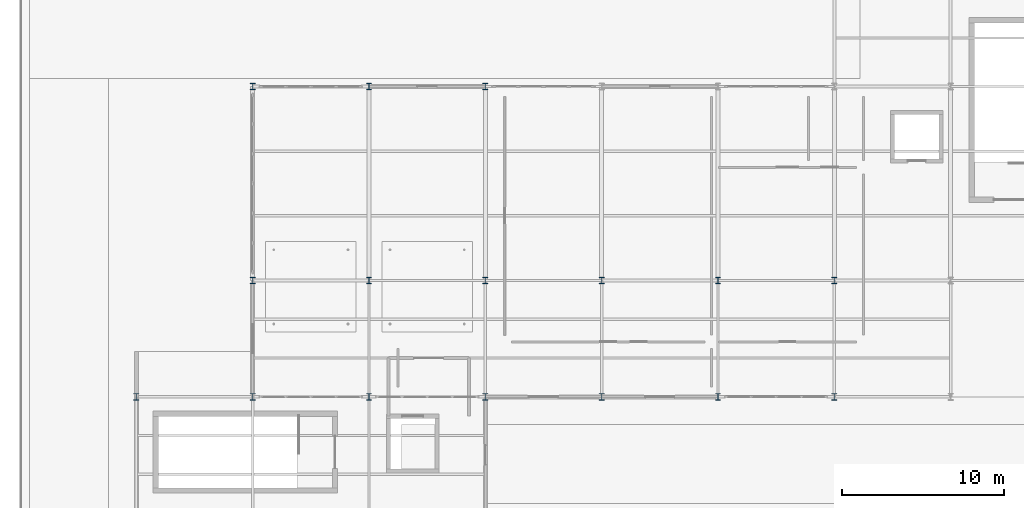
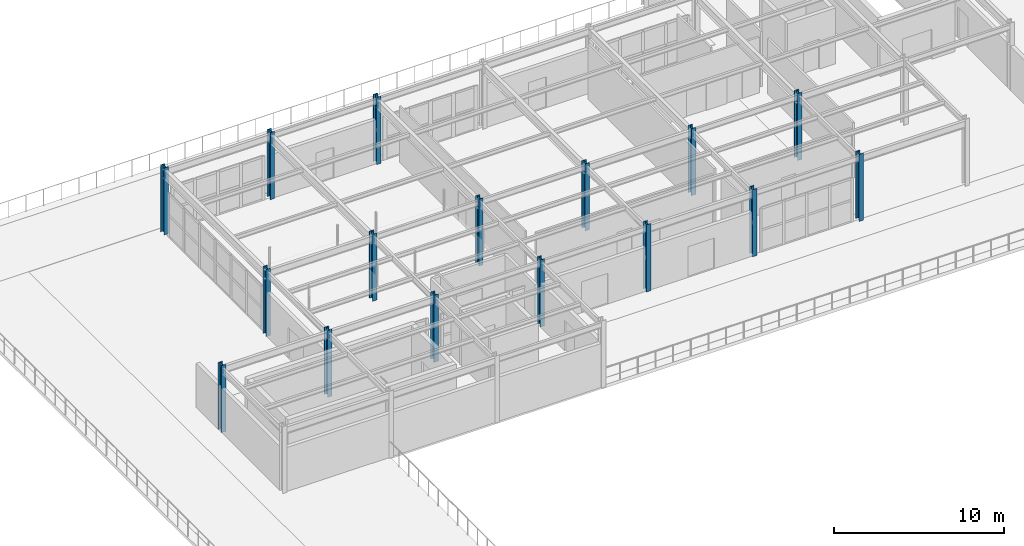
# One storey, part 7 of 41: 16 columns.
"""IFC4 building model written with IfcOpenShell, lengths in metres."""

from ifc_helpers import new_model, si_unit, direction, frame, origin, origin_2d, place, context, subcontext, project, spatial, i_section, extrude, material, material_profile, profile_set, type_object, element, save


model = new_model("IFC4")

# Units and contexts
model_context = context("Model", 3, precision=1e-05, world=origin(), true_north=direction((0.0, 1.0)))
body_context = subcontext(model_context, "Body", "Model", "MODEL_VIEW")
ifc_project = project(units=[si_unit("LENGTHUNIT", "METRE"), si_unit("AREAUNIT", "SQUARE_METRE"), si_unit("VOLUMEUNIT", "CUBIC_METRE"), si_unit("PLANEANGLEUNIT", "RADIAN"), si_unit("MASSUNIT", "GRAM", prefix="KILO")], contexts=[model_context])

# Site, building, storey
site_placement = place(None, origin())
site = spatial("IfcSite", under=ifc_project, at=site_placement, CompositionType="ELEMENT")
building_placement = place(site_placement, origin())
building = spatial("IfcBuilding", under=site, at=building_placement, Name="Solvadek Multi-Sports Hall", CompositionType="ELEMENT")
storey_placement = place(building_placement, frame((0.0, 0.0, 14.39990234375)))
storey = spatial("IfcBuildingStorey", under=building, at=storey_placement, Name="L03", CompositionType="ELEMENT", Elevation=14.39990234375)

# Columns
ifc_material = material(Name="Steel E350 (350 MPa)", Category="steel")
ifc_material_profile = material_profile(ifc_material, i_section(OverallWidth=0.300048828125, OverallDepth=0.39990234375, WebThickness=0.013427734375, FlangeThickness=0.02392578125, at=origin_2d()), Name="WPB 400")
ifc_profile_set = profile_set([ifc_material_profile], Name="Steel E350 (350 MPa)")
column_type = type_object("IfcColumnType", Name="STR-COL-WPB400", PredefinedType="COLUMN", material=ifc_profile_set)
for number, where, z_axis, x_axis, name in (
    (1, (7.199951171875, 85.199951171875, 0.0), (0.0, 0.0, 1.0), (1.0, 0.0, 0.0), "L03 Column C-07 #23"),
    (2, (14.39990234375, 85.199951171875, 0.0), (0.0, 0.0, 1.0), (1.0, 0.0, 0.0), "L03 Column C-07 #36"),
    (3, (14.39990234375, 92.39990234375, 0.0), (0.0, 0.0, 1.0), (1.0, 0.0, 0.0), "L03 Column C-07 #37"),
    (4, (14.39990234375, 104.39990234375, 0.0), (0.0, 0.0, 1.0), (1.0, 0.0, 0.0), "L03 Column C-07 #38"),
    (5, (21.60009765625, 85.199951171875, 0.0), (0.0, 0.0, 1.0), (1.0, 0.0, 0.0), "L03 Column C-07 #49"),
    (6, (21.60009765625, 92.39990234375, 0.0), (0.0, 0.0, 1.0), (1.0, 0.0, 0.0), "L03 Column C-07 #50"),
    (7, (21.60009765625, 104.39990234375, 0.0), (0.0, 0.0, 1.0), (1.0, 0.0, 0.0), "L03 Column C-07 #51"),
    (8, (28.800048828125, 85.199951171875, 0.0), (0.0, 0.0, 1.0), (1.0, 0.0, 0.0), "L03 Column C-07 #62"),
    (9, (28.800048828125, 92.39990234375, 0.0), (0.0, 0.0, 1.0), (1.0, 0.0, 0.0), "L03 Column C-07 #63"),
    (10, (28.800048828125, 104.39990234375, 0.0), (0.0, 0.0, 1.0), (1.0, 0.0, 0.0), "L03 Column C-07 #64"),
    (11, (36.0, 85.199951171875, 0.0), (0.0, 0.0, 1.0), (1.0, 0.0, 0.0), "L03 Column C-07 #77"),
    (12, (36.0, 92.39990234375, 0.0), (0.0, 0.0, 1.0), (1.0, 0.0, 0.0), "L03 Column C-07 #78"),
    (13, (43.199951171875, 85.199951171875, 0.0), (0.0, 0.0, 1.0), (1.0, 0.0, 0.0), "L03 Column C-07 #93"),
    (14, (43.199951171875, 92.39990234375, 0.0), (0.0, 0.0, 1.0), (1.0, 0.0, 0.0), "L03 Column C-07 #94"),
    (15, (50.39990234375, 85.199951171875, 0.0), (0.0, 0.0, 1.0), (1.0, 0.0, 0.0), "L03 Column C-07 #109"),
    (16, (50.39990234375, 92.39990234375, 0.0), (0.0, 0.0, 1.0), (1.0, 0.0, 0.0), "L03 Column C-07 #110"),
):
    element("IfcColumn", number, at=place(storey_placement, frame(where, z_axis=z_axis, x_axis=x_axis)), inside=storey, type_object=column_type, Name=name, PredefinedType="COLUMN", context=body_context, shape_type="SweptSolid", body=[
        extrude(i_section(OverallWidth=0.300048828125, OverallDepth=0.39990234375, WebThickness=0.013427734375, FlangeThickness=0.02392578125, at=origin_2d()), origin(), (0.0, 0.0, 1.0), 4.800048828125),
    ])

save(model, "model.ifc")
